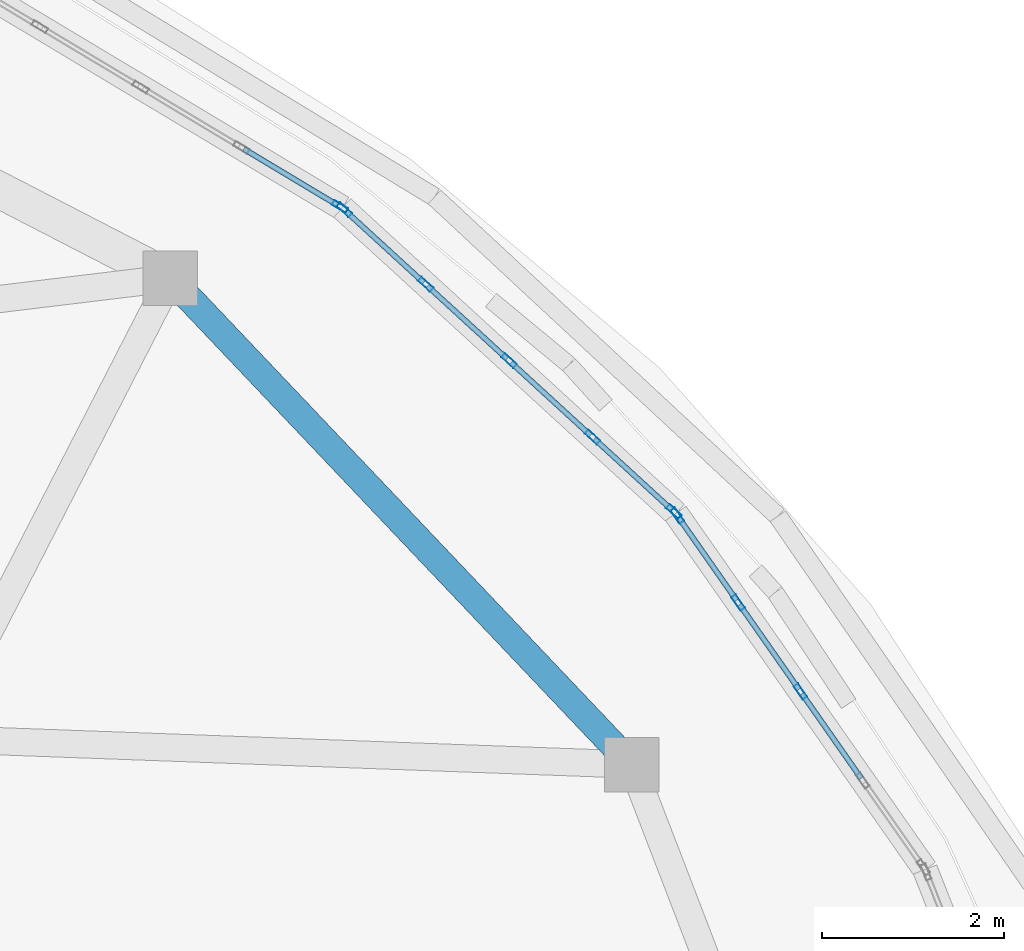
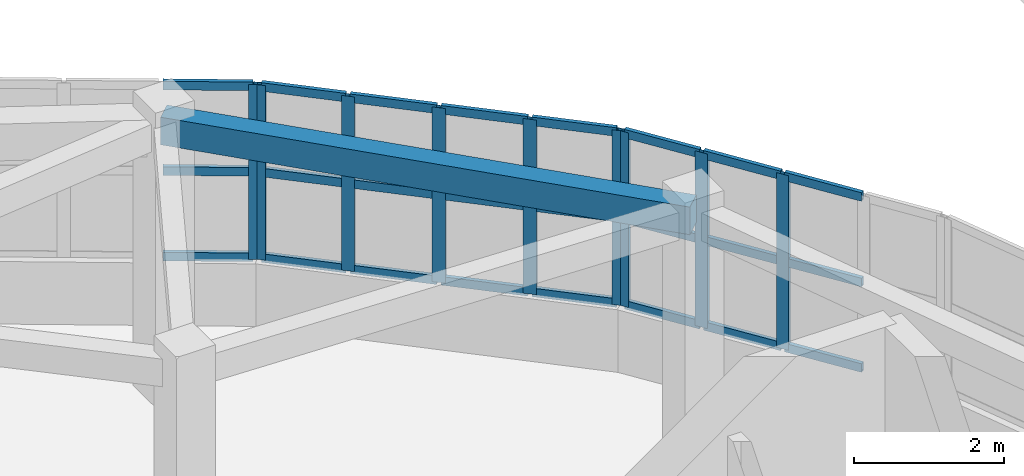
# One storey, part 30 of 69: 33 members, 1 beam, 3 elements without a shape of their own.
"""IFC4 building model written with IfcOpenShell, lengths in metres."""

from ifc_helpers import new_model, si_unit, direction, frame, origin, origin_2d, place, context, subcontext, project, spatial, rectangle, hollow_rectangle, extrude, material, layer, layer_set, material_profile, profile_set, type_object, element, aggregate, save


model = new_model("IFC4")

# Units and contexts
model_context = context("Model", 3, precision=1e-05, world=origin(), true_north=direction((0.0, 1.0)))
body_context = subcontext(model_context, "Body", "Model", "MODEL_VIEW")
ifc_project = project(units=[si_unit("LENGTHUNIT", "METRE"), si_unit("AREAUNIT", "SQUARE_METRE"), si_unit("VOLUMEUNIT", "CUBIC_METRE"), si_unit("PLANEANGLEUNIT", "RADIAN"), si_unit("MASSUNIT", "GRAM", prefix="KILO")], contexts=[model_context])

# Site, building, storey
site_placement = place(None, origin())
site = spatial("IfcSite", under=ifc_project, at=site_placement, CompositionType="ELEMENT")
building_placement = place(site_placement, origin())
building = spatial("IfcBuilding", under=site, at=building_placement, Name="Pelvatis Terrace Science Centre", CompositionType="ELEMENT")
storey_placement = place(building_placement, frame((0.0, 0.0, 15.0)))
storey = spatial("IfcBuildingStorey", under=building, at=storey_placement, Name="L03", CompositionType="ELEMENT", Elevation=15.0)

# Beam
ifc_material_1 = material(Name="Concrete C35/45", Category="concrete")
ifc_material_profile_1 = material_profile(ifc_material_1, rectangle(XDim=0.300048828125, YDim=0.449951171875, at=origin_2d()), Name="RC-BM 300x450")
ifc_profile_set_1 = profile_set([ifc_material_profile_1], Name="Concrete C35/45")
beam_type = type_object("IfcBeamType", Name="BM-RC-300x450", PredefinedType="BEAM", material=ifc_profile_set_1)
beam_placement = place(storey_placement, frame((130.8515625, 93.9619140625, 4.324951171875), z_axis=(-0.688268468455, 0.725456074019, 0.0), x_axis=(-0.725456074019, -0.688268468455, 0.0)))
element("IfcBeam", 1, at=beam_placement, inside=storey, type_object=beam_type, Name="Beam BM-L03-3011", PredefinedType="BEAM", context=body_context, shape_type="SweptSolid", body=[
    extrude(rectangle(XDim=0.300048828125, YDim=0.449951171875, at=origin_2d()), origin(), (0.0, 0.0, 1.0), 7.379150390625),
])

# Curtain wall, members
ifc_material_2 = material(Name="Bronze-anodised aluminium and laminated glass", Category="aluminium")
ifc_layer = layer(ifc_material_2, 0.179931640625)
ifc_layer_set = layer_set([ifc_layer], Name="Bronze-anodised aluminium and laminated glass")
curtain_wall_type = type_object("IfcCurtainWallType", Name="CW-RIBBON-A", PredefinedType="NOTDEFINED", material=ifc_layer_set)
curtain_wall_1_placement = place(storey_placement, origin())
curtain_wall_1 = element("IfcCurtainWall", 2, at=curtain_wall_1_placement, inside=storey, type_object=curtain_wall_type, Name="Ribbon curtain wall CW-185 (L03)", PredefinedType="NOTDEFINED")
ifc_material_3 = material(Name="Bronze-anodised aluminium 6063-T6", Category="aluminium")
ifc_material_profile_2 = material_profile(ifc_material_3, hollow_rectangle(XDim=0.06005859375, YDim=0.179931640625, WallThickness=0.00390625, at=origin_2d()), Name="ALU-MUL 60x180")
ifc_profile_set_2 = profile_set([ifc_material_profile_2], Name="Bronze-anodised aluminium 6063-T6")
member_type_1 = type_object("IfcMemberType", Name="CWM-60x180", PredefinedType="MULLION", material=ifc_profile_set_2)
member_1_placement = place(storey_placement, frame((132.708740234375, 94.765625, 1.02001953125), z_axis=(0.0, 0.0, 1.0), x_axis=(-0.81922799303, -0.573467955021, 0.0)))
member_1 = element("IfcMember", 3, at=member_1_placement, type_object=member_type_1, Name="CW-185 mullion 3", PredefinedType="MULLION", context=body_context, shape_type="SweptSolid", body=[
    extrude(hollow_rectangle(XDim=0.06005859375, YDim=0.179931640625, WallThickness=0.00390625, at=origin_2d()), origin(), (0.0, 0.0, 1.0), 2.85009765625),
])
member_2_placement = place(storey_placement, frame((132.022705078125, 95.74560546875, 1.02001953125), z_axis=(0.0, 0.0, 1.0), x_axis=(-0.81922799303, -0.573467955021, 0.0)))
member_2 = element("IfcMember", 4, at=member_2_placement, type_object=member_type_1, Name="CW-185 mullion 4", PredefinedType="MULLION", context=body_context, shape_type="SweptSolid", body=[
    extrude(hollow_rectangle(XDim=0.06005859375, YDim=0.179931640625, WallThickness=0.00390625, at=origin_2d()), origin(), (0.0, 0.0, 1.0), 2.85009765625),
])
member_3_placement = place(storey_placement, frame((131.35400390625, 96.700927734375, 1.02001953125), z_axis=(0.0, 0.0, 1.0), x_axis=(-0.81922799303, -0.573467955021, 0.0)))
member_3 = element("IfcMember", 5, at=member_3_placement, type_object=member_type_1, Name="CW-185 mullion 5", PredefinedType="MULLION", context=body_context, shape_type="SweptSolid", body=[
    extrude(hollow_rectangle(XDim=0.06005859375, YDim=0.179931640625, WallThickness=0.00390625, at=origin_2d()), origin(), (0.0, 0.0, 1.0), 2.85009765625),
])

curtain_wall_2_placement = place(storey_placement, origin())
curtain_wall_2 = element("IfcCurtainWall", 6, at=curtain_wall_2_placement, inside=storey, type_object=curtain_wall_type, Name="Ribbon curtain wall CW-186 (L03)", PredefinedType="NOTDEFINED")
member_4_placement = place(storey_placement, frame((131.314697265625, 96.745849609375, 1.02001953125), z_axis=(0.0, 0.0, 1.0), x_axis=(-0.675451772708, -0.737404165127, 0.0)))
member_4 = element("IfcMember", 7, at=member_4_placement, type_object=member_type_1, Name="CW-186 mullion 1", PredefinedType="MULLION", context=body_context, shape_type="SweptSolid", body=[
    extrude(hollow_rectangle(XDim=0.06005859375, YDim=0.179931640625, WallThickness=0.00390625, at=origin_2d()), origin(), (0.0, 0.0, 1.0), 2.85009765625),
])
member_5_placement = place(storey_placement, frame((130.418701171875, 97.56640625, 1.02001953125), z_axis=(0.0, 0.0, 1.0), x_axis=(-0.675451772708, -0.737404165127, 0.0)))
member_5 = element("IfcMember", 8, at=member_5_placement, type_object=member_type_1, Name="CW-186 mullion 2", PredefinedType="MULLION", context=body_context, shape_type="SweptSolid", body=[
    extrude(hollow_rectangle(XDim=0.06005859375, YDim=0.179931640625, WallThickness=0.00390625, at=origin_2d()), origin(), (0.0, 0.0, 1.0), 2.85009765625),
])
member_6_placement = place(storey_placement, frame((129.500732421875, 98.407470703125, 1.02001953125), z_axis=(0.0, 0.0, 1.0), x_axis=(-0.675451772708, -0.737404165127, 0.0)))
member_6 = element("IfcMember", 9, at=member_6_placement, type_object=member_type_1, Name="CW-186 mullion 3", PredefinedType="MULLION", context=body_context, shape_type="SweptSolid", body=[
    extrude(hollow_rectangle(XDim=0.06005859375, YDim=0.179931640625, WallThickness=0.00390625, at=origin_2d()), origin(), (0.0, 0.0, 1.0), 2.85009765625),
])
member_7_placement = place(storey_placement, frame((128.582763671875, 99.248291015625, 1.02001953125), z_axis=(0.0, 0.0, 1.0), x_axis=(-0.675451772708, -0.737404165127, 0.0)))
member_7 = element("IfcMember", 10, at=member_7_placement, type_object=member_type_1, Name="CW-186 mullion 4", PredefinedType="MULLION", context=body_context, shape_type="SweptSolid", body=[
    extrude(hollow_rectangle(XDim=0.06005859375, YDim=0.179931640625, WallThickness=0.00390625, at=origin_2d()), origin(), (0.0, 0.0, 1.0), 2.85009765625),
])
member_8_placement = place(storey_placement, frame((127.686767578125, 100.06884765625, 1.02001953125), z_axis=(0.0, 0.0, 1.0), x_axis=(-0.675451772708, -0.737404165127, 0.0)))
member_8 = element("IfcMember", 11, at=member_8_placement, type_object=member_type_1, Name="CW-186 mullion 5", PredefinedType="MULLION", context=body_context, shape_type="SweptSolid", body=[
    extrude(hollow_rectangle(XDim=0.06005859375, YDim=0.179931640625, WallThickness=0.00390625, at=origin_2d()), origin(), (0.0, 0.0, 1.0), 2.85009765625),
])

# Curtain wall, member
curtain_wall_3_placement = place(storey_placement, origin())
curtain_wall_3 = element("IfcCurtainWall", 12, at=curtain_wall_3_placement, inside=storey, type_object=curtain_wall_type, Name="Ribbon curtain wall CW-187 (L03)", PredefinedType="NOTDEFINED")
member_9_placement = place(storey_placement, frame((127.638916015625, 100.1044921875, 1.02001953125), z_axis=(0.0, 0.0, 1.0), x_axis=(-0.51399559594, -0.857792823096, 0.0)))
member_9 = element("IfcMember", 13, at=member_9_placement, type_object=member_type_1, Name="CW-187 mullion 1", PredefinedType="MULLION", context=body_context, shape_type="SweptSolid", body=[
    extrude(hollow_rectangle(XDim=0.06005859375, YDim=0.179931640625, WallThickness=0.00390625, at=origin_2d()), origin(), (0.0, 0.0, 1.0), 2.85009765625),
])

# Member
ifc_material_4 = material(Name="Bronze-anodised aluminium 6063-T6", Category="aluminium")
ifc_material_profile_3 = material_profile(ifc_material_4, hollow_rectangle(XDim=0.06005859375, YDim=0.139892578125, WallThickness=0.00390625, at=origin_2d()), Name="ALU-TRN 60x140")
ifc_profile_set_3 = profile_set([ifc_material_profile_3], Name="Bronze-anodised aluminium 6063-T6")
member_type_2 = type_object("IfcMemberType", Name="CWT-60x140", PredefinedType="USERDEFINED", material=ifc_profile_set_3)
member_10_placement = place(storey_placement, frame((133.37744140625, 93.810302734375, 1.050048828125), z_axis=(-0.573447924478, 0.81924201425, 0.0), x_axis=(-0.81924201425, -0.573447924478, 0.0)))
member_10 = element("IfcMember", 14, at=member_10_placement, type_object=member_type_2, Name="CW-185 transom 2.1", ObjectType="TRANSOM", PredefinedType="USERDEFINED", context=body_context, shape_type="SweptSolid", body=[
    extrude(hollow_rectangle(XDim=0.06005859375, YDim=0.139892578125, WallThickness=0.00390625, at=origin_2d()), origin(), (0.0, 0.0, 1.0), 1.13623046875),
])

member_11_placement = place(storey_placement, frame((133.37744140625, 93.810302734375, 2.445068359375), z_axis=(-0.573447924478, 0.81924201425, 0.0), x_axis=(-0.81924201425, -0.573447924478, 0.0)))
member_11 = element("IfcMember", 15, at=member_11_placement, type_object=member_type_2, Name="CW-185 transom 2.2", ObjectType="TRANSOM", PredefinedType="USERDEFINED", context=body_context, shape_type="SweptSolid", body=[
    extrude(hollow_rectangle(XDim=0.06005859375, YDim=0.139892578125, WallThickness=0.00390625, at=origin_2d()), origin(), (0.0, 0.0, 1.0), 1.13623046875),
])

member_12_placement = place(storey_placement, frame((133.37744140625, 93.810302734375, 3.840087890625), z_axis=(-0.573447924478, 0.81924201425, 0.0), x_axis=(-0.81924201425, -0.573447924478, 0.0)))
member_12 = element("IfcMember", 16, at=member_12_placement, type_object=member_type_2, Name="CW-185 transom 2.3", ObjectType="TRANSOM", PredefinedType="USERDEFINED", context=body_context, shape_type="SweptSolid", body=[
    extrude(hollow_rectangle(XDim=0.06005859375, YDim=0.139892578125, WallThickness=0.00390625, at=origin_2d()), origin(), (0.0, 0.0, 1.0), 1.13623046875),
])

member_13_placement = place(storey_placement, frame((132.69140625, 94.790283203125, 1.050048828125), z_axis=(-0.573447924478, 0.81924201425, 0.0), x_axis=(-0.81924201425, -0.573447924478, 0.0)))
member_13 = element("IfcMember", 17, at=member_13_placement, type_object=member_type_2, Name="CW-185 transom 3.1", ObjectType="TRANSOM", PredefinedType="USERDEFINED", context=body_context, shape_type="SweptSolid", body=[
    extrude(hollow_rectangle(XDim=0.06005859375, YDim=0.139892578125, WallThickness=0.00390625, at=origin_2d()), origin(), (0.0, 0.0, 1.0), 1.13623046875),
])

member_14_placement = place(storey_placement, frame((132.69140625, 94.790283203125, 2.445068359375), z_axis=(-0.573447924478, 0.81924201425, 0.0), x_axis=(-0.81924201425, -0.573447924478, 0.0)))
member_14 = element("IfcMember", 18, at=member_14_placement, type_object=member_type_2, Name="CW-185 transom 3.2", ObjectType="TRANSOM", PredefinedType="USERDEFINED", context=body_context, shape_type="SweptSolid", body=[
    extrude(hollow_rectangle(XDim=0.06005859375, YDim=0.139892578125, WallThickness=0.00390625, at=origin_2d()), origin(), (0.0, 0.0, 1.0), 1.13623046875),
])

member_15_placement = place(storey_placement, frame((132.69140625, 94.790283203125, 3.840087890625), z_axis=(-0.573447924478, 0.81924201425, 0.0), x_axis=(-0.81924201425, -0.573447924478, 0.0)))
member_15 = element("IfcMember", 19, at=member_15_placement, type_object=member_type_2, Name="CW-185 transom 3.3", ObjectType="TRANSOM", PredefinedType="USERDEFINED", context=body_context, shape_type="SweptSolid", body=[
    extrude(hollow_rectangle(XDim=0.06005859375, YDim=0.139892578125, WallThickness=0.00390625, at=origin_2d()), origin(), (0.0, 0.0, 1.0), 1.13623046875),
])

member_16_placement = place(storey_placement, frame((132.00537109375, 95.770263671875, 1.050048828125), z_axis=(-0.573403092011, 0.819273393973, 0.0), x_axis=(-0.819273393973, -0.573403092011, 0.0)))
member_16 = element("IfcMember", 20, at=member_16_placement, type_object=member_type_2, Name="CW-185 transom 4.1", ObjectType="TRANSOM", PredefinedType="USERDEFINED", context=body_context, shape_type="SweptSolid", body=[
    extrude(hollow_rectangle(XDim=0.06005859375, YDim=0.139892578125, WallThickness=0.00390625, at=origin_2d()), origin(), (0.0, 0.0, 1.0), 1.106201171875),
])

member_17_placement = place(storey_placement, frame((132.00537109375, 95.770263671875, 2.445068359375), z_axis=(-0.573403092011, 0.819273393973, 0.0), x_axis=(-0.819273393973, -0.573403092011, 0.0)))
member_17 = element("IfcMember", 21, at=member_17_placement, type_object=member_type_2, Name="CW-185 transom 4.2", ObjectType="TRANSOM", PredefinedType="USERDEFINED", context=body_context, shape_type="SweptSolid", body=[
    extrude(hollow_rectangle(XDim=0.06005859375, YDim=0.139892578125, WallThickness=0.00390625, at=origin_2d()), origin(), (0.0, 0.0, 1.0), 1.106201171875),
])

member_18_placement = place(storey_placement, frame((132.00537109375, 95.770263671875, 3.840087890625), z_axis=(-0.573403092011, 0.819273393973, 0.0), x_axis=(-0.819273393973, -0.573403092011, 0.0)))
member_18 = element("IfcMember", 22, at=member_18_placement, type_object=member_type_2, Name="CW-185 transom 4.3", ObjectType="TRANSOM", PredefinedType="USERDEFINED", context=body_context, shape_type="SweptSolid", body=[
    extrude(hollow_rectangle(XDim=0.06005859375, YDim=0.139892578125, WallThickness=0.00390625, at=origin_2d()), origin(), (0.0, 0.0, 1.0), 1.106201171875),
])

aggregate(curtain_wall_1, [member_1, member_2, member_3, member_10, member_11, member_12, member_13, member_14, member_15, member_16, member_17, member_18])

member_19_placement = place(storey_placement, frame((131.29248046875, 96.76611328125, 1.050048828125), z_axis=(-0.737399806304, 0.67545653129, 0.0), x_axis=(-0.67545653129, -0.737399806304, 0.0)))
member_19 = element("IfcMember", 23, at=member_19_placement, type_object=member_type_2, Name="CW-186 transom 1.1", ObjectType="TRANSOM", PredefinedType="USERDEFINED", context=body_context, shape_type="SweptSolid", body=[
    extrude(hollow_rectangle(XDim=0.06005859375, YDim=0.139892578125, WallThickness=0.00390625, at=origin_2d()), origin(), (0.0, 0.0, 1.0), 1.15478515625),
])

member_20_placement = place(storey_placement, frame((131.29248046875, 96.76611328125, 2.445068359375), z_axis=(-0.737399806304, 0.67545653129, 0.0), x_axis=(-0.67545653129, -0.737399806304, 0.0)))
member_20 = element("IfcMember", 24, at=member_20_placement, type_object=member_type_2, Name="CW-186 transom 1.2", ObjectType="TRANSOM", PredefinedType="USERDEFINED", context=body_context, shape_type="SweptSolid", body=[
    extrude(hollow_rectangle(XDim=0.06005859375, YDim=0.139892578125, WallThickness=0.00390625, at=origin_2d()), origin(), (0.0, 0.0, 1.0), 1.15478515625),
])

member_21_placement = place(storey_placement, frame((131.29248046875, 96.76611328125, 3.840087890625), z_axis=(-0.737399806304, 0.67545653129, 0.0), x_axis=(-0.67545653129, -0.737399806304, 0.0)))
member_21 = element("IfcMember", 25, at=member_21_placement, type_object=member_type_2, Name="CW-186 transom 1.3", ObjectType="TRANSOM", PredefinedType="USERDEFINED", context=body_context, shape_type="SweptSolid", body=[
    extrude(hollow_rectangle(XDim=0.06005859375, YDim=0.139892578125, WallThickness=0.00390625, at=origin_2d()), origin(), (0.0, 0.0, 1.0), 1.15478515625),
])

member_22_placement = place(storey_placement, frame((130.396484375, 97.586669921875, 1.050048828125), z_axis=(-0.737333698519, 0.675528694452, 0.0), x_axis=(-0.675528694452, -0.737333698519, 0.0)))
member_22 = element("IfcMember", 26, at=member_22_placement, type_object=member_type_2, Name="CW-186 transom 2.1", ObjectType="TRANSOM", PredefinedType="USERDEFINED", context=body_context, shape_type="SweptSolid", body=[
    extrude(hollow_rectangle(XDim=0.06005859375, YDim=0.139892578125, WallThickness=0.00390625, at=origin_2d()), origin(), (0.0, 0.0, 1.0), 1.18505859375),
])

member_23_placement = place(storey_placement, frame((130.396484375, 97.586669921875, 2.445068359375), z_axis=(-0.737333698519, 0.675528694452, 0.0), x_axis=(-0.675528694452, -0.737333698519, 0.0)))
member_23 = element("IfcMember", 27, at=member_23_placement, type_object=member_type_2, Name="CW-186 transom 2.2", ObjectType="TRANSOM", PredefinedType="USERDEFINED", context=body_context, shape_type="SweptSolid", body=[
    extrude(hollow_rectangle(XDim=0.06005859375, YDim=0.139892578125, WallThickness=0.00390625, at=origin_2d()), origin(), (0.0, 0.0, 1.0), 1.18505859375),
])

member_24_placement = place(storey_placement, frame((130.396484375, 97.586669921875, 3.840087890625), z_axis=(-0.737333698519, 0.675528694452, 0.0), x_axis=(-0.675528694452, -0.737333698519, 0.0)))
member_24 = element("IfcMember", 28, at=member_24_placement, type_object=member_type_2, Name="CW-186 transom 2.3", ObjectType="TRANSOM", PredefinedType="USERDEFINED", context=body_context, shape_type="SweptSolid", body=[
    extrude(hollow_rectangle(XDim=0.06005859375, YDim=0.139892578125, WallThickness=0.00390625, at=origin_2d()), origin(), (0.0, 0.0, 1.0), 1.18505859375),
])

member_25_placement = place(storey_placement, frame((129.478515625, 98.427734375, 1.050048828125), z_axis=(-0.737436319154, 0.675416667837, 0.0), x_axis=(-0.675416667837, -0.737436319154, 0.0)))
member_25 = element("IfcMember", 29, at=member_25_placement, type_object=member_type_2, Name="CW-186 transom 3.1", ObjectType="TRANSOM", PredefinedType="USERDEFINED", context=body_context, shape_type="SweptSolid", body=[
    extrude(hollow_rectangle(XDim=0.06005859375, YDim=0.139892578125, WallThickness=0.00390625, at=origin_2d()), origin(), (0.0, 0.0, 1.0), 1.184814453125),
])

member_26_placement = place(storey_placement, frame((129.478515625, 98.427734375, 2.445068359375), z_axis=(-0.737436319154, 0.675416667837, 0.0), x_axis=(-0.675416667837, -0.737436319154, 0.0)))
member_26 = element("IfcMember", 30, at=member_26_placement, type_object=member_type_2, Name="CW-186 transom 3.2", ObjectType="TRANSOM", PredefinedType="USERDEFINED", context=body_context, shape_type="SweptSolid", body=[
    extrude(hollow_rectangle(XDim=0.06005859375, YDim=0.139892578125, WallThickness=0.00390625, at=origin_2d()), origin(), (0.0, 0.0, 1.0), 1.184814453125),
])

member_27_placement = place(storey_placement, frame((129.478515625, 98.427734375, 3.840087890625), z_axis=(-0.737436319154, 0.675416667837, 0.0), x_axis=(-0.675416667837, -0.737436319154, 0.0)))
member_27 = element("IfcMember", 31, at=member_27_placement, type_object=member_type_2, Name="CW-186 transom 3.3", ObjectType="TRANSOM", PredefinedType="USERDEFINED", context=body_context, shape_type="SweptSolid", body=[
    extrude(hollow_rectangle(XDim=0.06005859375, YDim=0.139892578125, WallThickness=0.00390625, at=origin_2d()), origin(), (0.0, 0.0, 1.0), 1.184814453125),
])

member_28_placement = place(storey_placement, frame((128.560546875, 99.2685546875, 1.050048828125), z_axis=(-0.737399806304, 0.67545653129, 0.0), x_axis=(-0.67545653129, -0.737399806304, 0.0)))
member_28 = element("IfcMember", 32, at=member_28_placement, type_object=member_type_2, Name="CW-186 transom 4.1", ObjectType="TRANSOM", PredefinedType="USERDEFINED", context=body_context, shape_type="SweptSolid", body=[
    extrude(hollow_rectangle(XDim=0.06005859375, YDim=0.139892578125, WallThickness=0.00390625, at=origin_2d()), origin(), (0.0, 0.0, 1.0), 1.15478515625),
])

member_29_placement = place(storey_placement, frame((128.560546875, 99.2685546875, 2.445068359375), z_axis=(-0.737399806304, 0.67545653129, 0.0), x_axis=(-0.67545653129, -0.737399806304, 0.0)))
member_29 = element("IfcMember", 33, at=member_29_placement, type_object=member_type_2, Name="CW-186 transom 4.2", ObjectType="TRANSOM", PredefinedType="USERDEFINED", context=body_context, shape_type="SweptSolid", body=[
    extrude(hollow_rectangle(XDim=0.06005859375, YDim=0.139892578125, WallThickness=0.00390625, at=origin_2d()), origin(), (0.0, 0.0, 1.0), 1.15478515625),
])

member_30_placement = place(storey_placement, frame((128.560546875, 99.2685546875, 3.840087890625), z_axis=(-0.737399806304, 0.67545653129, 0.0), x_axis=(-0.67545653129, -0.737399806304, 0.0)))
member_30 = element("IfcMember", 34, at=member_30_placement, type_object=member_type_2, Name="CW-186 transom 4.3", ObjectType="TRANSOM", PredefinedType="USERDEFINED", context=body_context, shape_type="SweptSolid", body=[
    extrude(hollow_rectangle(XDim=0.06005859375, YDim=0.139892578125, WallThickness=0.00390625, at=origin_2d()), origin(), (0.0, 0.0, 1.0), 1.15478515625),
])

aggregate(curtain_wall_2, [member_4, member_5, member_6, member_7, member_8, member_19, member_20, member_21, member_22, member_23, member_24, member_25, member_26, member_27, member_28, member_29, member_30])

member_31_placement = place(storey_placement, frame((127.61328125, 100.119873046875, 1.050048828125), z_axis=(-0.857761194899, 0.514048375666, 0.0), x_axis=(-0.514048375666, -0.857761194899, 0.0)))
member_31 = element("IfcMember", 35, at=member_31_placement, type_object=member_type_2, Name="CW-187 transom 1.1", ObjectType="TRANSOM", PredefinedType="USERDEFINED", context=body_context, shape_type="SweptSolid", body=[
    extrude(hollow_rectangle(XDim=0.06005859375, YDim=0.139892578125, WallThickness=0.00390625, at=origin_2d()), origin(), (0.0, 0.0, 1.0), 1.203857421875),
])

member_32_placement = place(storey_placement, frame((127.61328125, 100.119873046875, 2.445068359375), z_axis=(-0.857761194899, 0.514048375666, 0.0), x_axis=(-0.514048375666, -0.857761194899, 0.0)))
member_32 = element("IfcMember", 36, at=member_32_placement, type_object=member_type_2, Name="CW-187 transom 1.2", ObjectType="TRANSOM", PredefinedType="USERDEFINED", context=body_context, shape_type="SweptSolid", body=[
    extrude(hollow_rectangle(XDim=0.06005859375, YDim=0.139892578125, WallThickness=0.00390625, at=origin_2d()), origin(), (0.0, 0.0, 1.0), 1.203857421875),
])

member_33_placement = place(storey_placement, frame((127.61328125, 100.119873046875, 3.840087890625), z_axis=(-0.857761194899, 0.514048375666, 0.0), x_axis=(-0.514048375666, -0.857761194899, 0.0)))
member_33 = element("IfcMember", 37, at=member_33_placement, type_object=member_type_2, Name="CW-187 transom 1.3", ObjectType="TRANSOM", PredefinedType="USERDEFINED", context=body_context, shape_type="SweptSolid", body=[
    extrude(hollow_rectangle(XDim=0.06005859375, YDim=0.139892578125, WallThickness=0.00390625, at=origin_2d()), origin(), (0.0, 0.0, 1.0), 1.203857421875),
])

aggregate(curtain_wall_3, [member_9, member_31, member_32, member_33])

save(model, "model.ifc")
